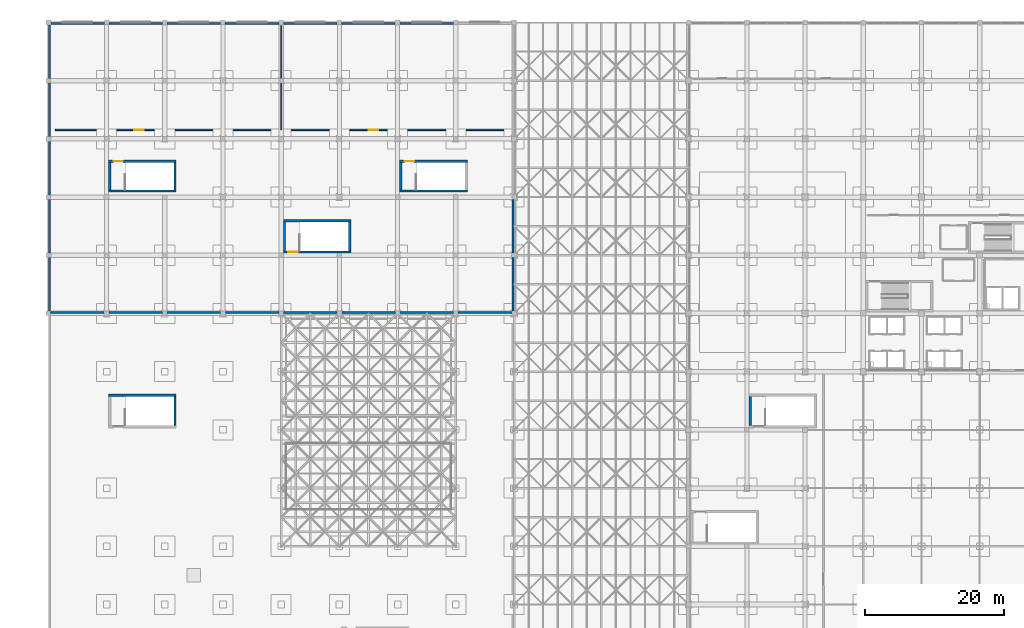
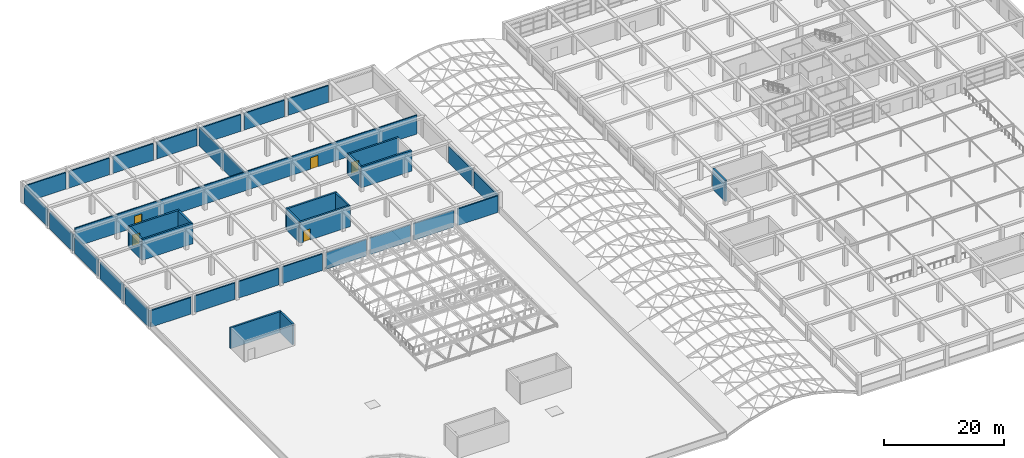
# One storey, part 76 of 85: 38 walls, 5 doors, 5 openings.
"""IFC4 building model written with IfcOpenShell, lengths in metres."""

import ifcopenshell
import ifcopenshell.guid

model = None  # the IFC model being written
_history = None  # IfcOwnerHistory: only IFC2X3 demands one
_inside = {}  # id of a spatial element -> (the spatial element, [elements in it])
_under = {}  # id of a project, library or spatial element -> (it, [spatial elements below it])
_declared = {}  # id of a project -> (the project, [libraries it declares])
_typed = {}  # id of a type object -> (the type object, [elements of that type])
_made_of = {}  # id of a material, layer set ... -> (it, [elements and type objects made of it])


def new_model(schema):
    """Start an empty IFC model of exactly this schema.

    Asked for "IFC4X3", IfcOpenShell would pick the latest addendum, in which some entities
    have other attributes; the version numbers below select the first issue.
    IFC2X3 requires an IfcOwnerHistory on every rooted entity: one is made here for all.
    """
    global model, _history
    if schema == "IFC4X3":
        model = ifcopenshell.file(schema_version=(4, 3, 0, 0))
    else:
        model = ifcopenshell.file(schema=schema)
    _inside.clear()
    _under.clear()
    _declared.clear()
    _typed.clear()
    _made_of.clear()
    _history = None
    if model.schema == "IFC2X3":
        org = make("IfcOrganization", Name="unknown")
        user = make(
            "IfcPersonAndOrganization",
            ThePerson=make("IfcPerson", FamilyName="unknown"),
            TheOrganization=org,
        )
        app = make(
            "IfcApplication",
            ApplicationDeveloper=org,
            Version="unknown",
            ApplicationFullName="unknown",
            ApplicationIdentifier="unknown",
        )
        _history = make(
            "IfcOwnerHistory",
            OwningUser=user,
            OwningApplication=app,
            ChangeAction="ADDED",
            CreationDate=0,
        )
    return model


def make(cls, **values):
    """One entity of the class cls with the attributes given. An attribute that is None is left unset."""
    return model.create_entity(
        cls, **{name: value for name, value in values.items() if value is not None}
    )


def rooted(cls, **values):
    """An entity with a GlobalId (a new one), such as an element, a storey or a relation."""
    return make(cls, GlobalId=ifcopenshell.guid.new(), OwnerHistory=_history, **values)


def si_unit(unit_type, name, prefix=None):
    """IfcSIUnit, for example si_unit("LENGTHUNIT", "METRE", prefix="MILLI")."""
    return make("IfcSIUnit", UnitType=unit_type, Prefix=prefix, Name=name)


def assignment(units):
    """IfcUnitAssignment: the units of a project."""
    return None if units is None else make("IfcUnitAssignment", Units=units)


def point(xyz):
    """IfcCartesianPoint."""
    return None if xyz is None else make("IfcCartesianPoint", Coordinates=xyz)


def direction(xyz):
    """IfcDirection."""
    return None if xyz is None else make("IfcDirection", DirectionRatios=xyz)


def frame(location, z_axis=None, x_axis=None):
    """IfcAxis2Placement3D, a coordinate frame: its origin and axes. An axis left out is left unset."""
    return make(
        "IfcAxis2Placement3D",
        Location=point(location),
        Axis=direction(z_axis),
        RefDirection=direction(x_axis),
    )


def frame_2d(location, x_axis=None):
    """IfcAxis2Placement2D, a coordinate frame in the plane: its origin and x axis."""
    return make(
        "IfcAxis2Placement2D", Location=point(location), RefDirection=direction(x_axis)
    )


def origin():
    """The frame at (0, 0, 0) with its axes left unset."""
    return frame((0.0, 0.0, 0.0))


def place(relative_to, where):
    """IfcLocalPlacement: puts the frame where relative to a parent placement (None: the world)."""
    return make(
        "IfcLocalPlacement", PlacementRelTo=relative_to, RelativePlacement=where
    )


def context(
    kind, dimensions, precision=None, world=None, true_north=None, identifier=None
):
    """IfcGeometricRepresentationContext, for example the 3D "Model" context."""
    return make(
        "IfcGeometricRepresentationContext",
        ContextIdentifier=identifier,
        ContextType=kind,
        CoordinateSpaceDimension=dimensions,
        Precision=precision,
        WorldCoordinateSystem=world,
        TrueNorth=true_north,
    )


def subcontext(parent, identifier, kind, view, scale=None):
    """IfcGeometricRepresentationSubContext, for example "Body" below "Model"."""
    return make(
        "IfcGeometricRepresentationSubContext",
        ContextIdentifier=identifier,
        ContextType=kind,
        ParentContext=parent,
        TargetScale=scale,
        TargetView=view,
    )


def project(units=None, contexts=None):
    """IfcProject with its units and contexts."""
    return rooted(
        "IfcProject",
        Name="project",
        RepresentationContexts=contexts,
        UnitsInContext=assignment(units),
    )


def spatial(cls, under=None, at=None, **own):
    """A site, building, storey or space (cls), placed at a placement, below another one or the project."""
    s = rooted(cls, ObjectPlacement=at, **own)
    if under is not None:
        _under.setdefault(under.id(), (under, []))[1].append(s)
    return s


def profile(cls, at=None, kind="AREA", **sizes):
    """A parametric profile (cls). Its sizes go by their IFC names, for example OverallWidth=200.0."""
    return make(cls, ProfileType=kind, Position=at, **sizes)


def rectangle(**sizes):
    """IfcRectangleProfileDef."""
    return profile("IfcRectangleProfileDef", **sizes)


def extrude(swept, where, along, depth):
    """IfcExtrudedAreaSolid: the profile swept, set in the frame where, extruded along a direction by depth."""
    return make(
        "IfcExtrudedAreaSolid",
        SweptArea=swept,
        Position=where,
        ExtrudedDirection=direction(along),
        Depth=depth,
    )


def shape(context_of_items, identifier, shape_type, items):
    """IfcShapeRepresentation: the items that make up one representation, for example the "Body"."""
    return make(
        "IfcShapeRepresentation",
        ContextOfItems=context_of_items,
        RepresentationIdentifier=identifier,
        RepresentationType=shape_type,
        Items=items,
    )


def material(Name=None, Category=None):
    """IfcMaterial."""
    return make("IfcMaterial", Name=Name, Category=Category)


def layer(
    of_material, thickness, ventilated=None, Name=None, Category=None, Priority=None
):
    """IfcMaterialLayer: one layer of a wall or slab, of a material (None: an air gap)."""
    return make(
        "IfcMaterialLayer",
        Material=of_material,
        LayerThickness=thickness,
        IsVentilated=ventilated,
        Name=Name,
        Category=Category,
        Priority=Priority,
    )


def layer_set(layers, Name=None):
    """IfcMaterialLayerSet."""
    return make("IfcMaterialLayerSet", MaterialLayers=layers, LayerSetName=Name)


def made_of(thing, what):
    """Note that an element or type object is made of a material, layer set ...; save() writes the relation."""
    if what is not None:
        _made_of.setdefault(what.id(), (what, []))[1].append(thing)
    return thing


def type_object(cls, material=None, **own):
    """A type object (cls), such as IfcWallType, which elements share."""
    return made_of(rooted(cls, **own), material)


def element(
    cls,
    number,
    at=None,
    inside=None,
    cuts=None,
    type_object=None,
    material=None,
    context=None,
    identifier="Body",
    shape_type=None,
    held_by="IfcProductDefinitionShape",
    body=None,
    shapes=None,
    **own,
):
    """One element of the class cls, such as IfcWall. Its Tag is "e" and its number.

    at: its placement. inside: the storey or other place that contains it. cuts: it is an
    opening in that element (IfcRelVoidsElement). A single representation is given by context,
    identifier, shape_type and body (its items); several are given by shapes. held_by: the class
    of the entity that holds the representations. save() writes the other relations.
    """
    e = rooted(cls, Tag="e%d" % number, ObjectPlacement=at, **own)
    if body is not None:
        shapes = [shape(context, identifier, shape_type, body)]
    if shapes is not None:
        e.Representation = make(held_by, Representations=shapes)
    if inside is not None:
        _inside.setdefault(inside.id(), (inside, []))[1].append(e)
    if cuts is not None:
        rooted(
            "IfcRelVoidsElement", RelatingBuildingElement=cuts, RelatedOpeningElement=e
        )
    if type_object is not None:
        _typed.setdefault(type_object.id(), (type_object, []))[1].append(e)
    return made_of(e, material)


def fill(opening, filler):
    """IfcRelFillsElement: the door or window that sits in an opening."""
    return rooted(
        "IfcRelFillsElement",
        RelatingOpeningElement=opening,
        RelatedBuildingElement=filler,
    )


def aggregate(whole, parts):
    """IfcRelAggregates: a whole, such as a stair, and the parts it consists of."""
    return rooted("IfcRelAggregates", RelatingObject=whole, RelatedObjects=parts)


def save(model, path):
    """Write the relations noted so far, then the file.

    IfcRelAggregates (storeys below a building ...), IfcRelContainedInSpatialStructure (elements
    in a storey), IfcRelDefinesByType, IfcRelAssociatesMaterial and IfcRelDeclares: one each for
    every whole, place, type object, material and project.
    """
    for whole, parts in _under.values():
        aggregate(whole, parts)
    for where, things in _inside.values():
        rooted(
            "IfcRelContainedInSpatialStructure",
            RelatedElements=things,
            RelatingStructure=where,
        )
    for kind, things in _typed.values():
        rooted("IfcRelDefinesByType", RelatedObjects=things, RelatingType=kind)
    for what, things in _made_of.values():
        rooted("IfcRelAssociatesMaterial", RelatedObjects=things, RelatingMaterial=what)
    for by, libraries in _declared.values():
        rooted("IfcRelDeclares", RelatingContext=by, RelatedDefinitions=libraries)
    model.write(path)


model = new_model("IFC4")

# Units and contexts
model_context = context("Model", 3, precision=1e-05, world=origin(), true_north=direction((0.0, 1.0)))
body_context = subcontext(model_context, "Body", "Model", "MODEL_VIEW")
ifc_project = project(units=[si_unit("LENGTHUNIT", "METRE"), si_unit("AREAUNIT", "SQUARE_METRE"), si_unit("VOLUMEUNIT", "CUBIC_METRE"), si_unit("PLANEANGLEUNIT", "RADIAN"), si_unit("MASSUNIT", "GRAM", prefix="KILO")], contexts=[model_context])

# Site, building, storey
site_placement = place(None, origin())
site = spatial("IfcSite", under=ifc_project, at=site_placement, CompositionType="ELEMENT")
building_placement = place(site_placement, origin())
building = spatial("IfcBuilding", under=site, at=building_placement, Name="Almacenes y Pasaje Nevantli", CompositionType="ELEMENT")
storey_placement = place(building_placement, frame((0.0, 0.0, 22.199951171875)))
storey = spatial("IfcBuildingStorey", under=building, at=storey_placement, Name="L05", CompositionType="ELEMENT", Elevation=22.199951171875)

# Wall, openings, doors
ifc_material_1 = material(Name="Fire-Rated Concrete Blockwork", Category="masonry")
ifc_layer_1 = layer(ifc_material_1, 0.199951171875)
ifc_layer_set_1 = layer_set([ifc_layer_1], Name="Fire-Rated Concrete Blockwork")
wall_type_1 = type_object("IfcWallType", Name="WL-COMP-200", PredefinedType="PARTITIONING", material=ifc_layer_set_1)
wall_1_placement = place(storey_placement, frame((1.0, 102.10009765625, 0.0), z_axis=(0.0, 0.0, 1.0), x_axis=(1.0, 0.0, 0.0)))
wall_1 = element("IfcWall", 1, at=wall_1_placement, inside=storey, type_object=wall_type_1, Name="L05 Interior Partition Wall IW-200 #107", PredefinedType="PARTITIONING", context=body_context, shape_type="SweptSolid", body=[
    extrude(rectangle(XDim=65.60009765625, YDim=0.199951171875, at=frame_2d((32.800048828125, 0.0))), origin(), (0.0, 0.0, 1.0), 3.840087890625),
])
opening_1_placement = place(wall_1_placement, frame((11.39990234375, 0.0, 0.0)))
opening_1 = element("IfcOpeningElement", 2, at=opening_1_placement, cuts=wall_1, Name="Opening ID-L05-053", PredefinedType="OPENING", context=body_context, shape_type="SweptSolid", body=[
    extrude(rectangle(XDim=1.39990234375, YDim=2.300048828125, at=frame_2d((0.699951171875, 1.14990234375))), frame((0.0, 0.10986328125, 0.0), z_axis=(0.0, -1.0, 0.0), x_axis=(1.0, 0.0, 0.0)), (0.0, 0.0, 1.0), 0.219970703125),
])
opening_2_placement = place(wall_1_placement, frame((45.199951171875, 0.0, 0.0)))
opening_2 = element("IfcOpeningElement", 3, at=opening_2_placement, cuts=wall_1, Name="Opening ID-L05-054", PredefinedType="OPENING", context=body_context, shape_type="SweptSolid", body=[
    extrude(rectangle(XDim=1.39990234375, YDim=2.300048828125, at=frame_2d((0.699951171875, 1.14990234375))), frame((0.0, 0.10986328125, 0.0), z_axis=(0.0, -1.0, 0.0), x_axis=(1.0, 0.0, 0.0)), (0.0, 0.0, 1.0), 0.219970703125),
])
ifc_material_2 = material(Name="Galvanized Fire-Rated Steel", Category="steel")
door_type_1 = type_object("IfcDoorType", Name="DR-FD90-1400", OperationType="DOUBLE_DOOR_SINGLE_SWING", PredefinedType="DOOR", material=ifc_material_2)
door_1_placement = place(opening_1_placement, origin())
door_1 = element("IfcDoor", 4, at=door_1_placement, inside=storey, type_object=door_type_1, Name="L05 Chiller Hall Fire Door", OperationType="DOUBLE_DOOR_SINGLE_SWING", OverallHeight=2.300048828125, OverallWidth=1.39990234375, PredefinedType="DOOR", context=body_context, shape_type="SweptSolid", body=[
    extrude(rectangle(XDim=1.39990234375, YDim=2.300048828125, at=frame_2d((0.699951171875, 1.14990234375))), frame((0.0, 0.02490234375, 0.0), z_axis=(0.0, -1.0, 0.0), x_axis=(1.0, 0.0, 0.0)), (0.0, 0.0, 1.0), 0.050048828125),
])
fill(opening_1, door_1)
door_2_placement = place(opening_2_placement, origin())
door_2 = element("IfcDoor", 5, at=door_2_placement, inside=storey, type_object=door_type_1, Name="L05 AHU Plant Hall Fire Door", OperationType="DOUBLE_DOOR_SINGLE_SWING", OverallHeight=2.300048828125, OverallWidth=1.39990234375, PredefinedType="DOOR", context=body_context, shape_type="SweptSolid", body=[
    extrude(rectangle(XDim=1.39990234375, YDim=2.300048828125, at=frame_2d((0.699951171875, 1.14990234375))), frame((0.0, 0.02490234375, 0.0), z_axis=(0.0, -1.0, 0.0), x_axis=(1.0, 0.0, 0.0)), (0.0, 0.0, 1.0), 0.050048828125),
])
fill(opening_2, door_2)

# Walls
wall_2_placement = place(storey_placement, frame((33.60009765625, 102.10009765625, 0.0), z_axis=(0.0, 0.0, 1.0), x_axis=(0.0, 1.0, 0.0)))
element("IfcWall", 6, at=wall_2_placement, inside=storey, type_object=wall_type_1, Name="L05 Interior Partition Wall IW-200 #108", PredefinedType="PARTITIONING", context=body_context, shape_type="SweptSolid", body=[
    extrude(rectangle(XDim=15.0, YDim=0.199951171875, at=frame_2d((7.5, 0.0))), origin(), (0.0, 0.0, 1.0), 3.840087890625),
])
ifc_material_3 = material(Name="Concrete C45/55", Category="concrete")
ifc_layer_2 = layer(ifc_material_3, 0.35009765625)
ifc_layer_set_2 = layer_set([ifc_layer_2], Name="Concrete C45/55")
wall_type_2 = type_object("IfcWallType", Name="WL-CORE-350", PredefinedType="SHEAR", material=ifc_layer_set_2)
wall_3_placement = place(storey_placement, frame((8.699951171875, 93.27490234375, 0.0), z_axis=(0.0, 0.0, 1.0), x_axis=(1.0, 0.0, 0.0)))
element("IfcWall", 7, at=wall_3_placement, inside=storey, type_object=wall_type_2, Name="L05 Exit Stair ST-03 South Core Shear Wall", PredefinedType="SHEAR", context=body_context, shape_type="SweptSolid", body=[
    extrude(rectangle(XDim=9.75, YDim=0.35009765625, at=frame_2d((4.875, 0.0))), origin(), (0.0, 0.0, 1.0), 4.219970703125),
])

# Wall, opening, door
wall_4_placement = place(storey_placement, frame((8.699951171875, 97.574951171875, 0.0), z_axis=(0.0, 0.0, 1.0), x_axis=(1.0, 0.0, 0.0)))
wall_4 = element("IfcWall", 8, at=wall_4_placement, inside=storey, type_object=wall_type_2, Name="L05 Exit Stair ST-03 North Core Shear Wall", PredefinedType="SHEAR", context=body_context, shape_type="SweptSolid", body=[
    extrude(rectangle(XDim=9.75, YDim=0.35009765625, at=frame_2d((4.875, 0.0))), origin(), (0.0, 0.0, 1.0), 4.219970703125),
])
opening_3_placement = place(wall_4_placement, frame((0.719970703125, 0.0, 0.0)))
opening_3 = element("IfcOpeningElement", 9, at=opening_3_placement, cuts=wall_4, Name="Opening SD-03-L05", PredefinedType="OPENING", context=body_context, shape_type="SweptSolid", body=[
    extrude(rectangle(XDim=1.35009765625, YDim=2.25, at=frame_2d((0.675048828125, 1.125))), frame((0.0, 0.18505859375, 0.0), z_axis=(0.0, -1.0, 0.0), x_axis=(1.0, 0.0, 0.0)), (0.0, 0.0, 1.0), 0.3701171875),
])
ifc_material_4 = material(Name="Galvanized Fire-Rated Steel", Category="steel")
door_type_2 = type_object("IfcDoorType", Name="DR-STAIR-1350", OperationType="SINGLE_SWING_LEFT", PredefinedType="DOOR", material=ifc_material_4)
door_3_placement = place(opening_3_placement, origin())
door_3 = element("IfcDoor", 10, at=door_3_placement, inside=storey, type_object=door_type_2, Name="L05 Smokeproof Exit Stair ST-03 Fire Door", OperationType="SINGLE_SWING_LEFT", OverallHeight=2.25, OverallWidth=1.35009765625, PredefinedType="DOOR", context=body_context, shape_type="SweptSolid", body=[
    extrude(rectangle(XDim=1.35009765625, YDim=2.25, at=frame_2d((0.675048828125, 1.125))), frame((0.0, 0.02490234375, 0.0), z_axis=(0.0, -1.0, 0.0), x_axis=(1.0, 0.0, 0.0)), (0.0, 0.0, 1.0), 0.050048828125),
])
fill(opening_3, door_3)

# Walls
for number, where, z_axis, x_axis, name in (
    (11, (8.875, 93.449951171875, 0.0), (0.0, 0.0, 1.0), (0.0, 1.0, 0.0), "L05 Exit Stair ST-03 West Core Shear Wall"),
    (12, (18.27490234375, 93.449951171875, 0.0), (0.0, 0.0, 1.0), (0.0, 1.0, 0.0), "L05 Exit Stair ST-03 East Core Shear Wall"),
):
    element("IfcWall", number, at=place(storey_placement, frame(where, z_axis=z_axis, x_axis=x_axis)), inside=storey, type_object=wall_type_2, Name=name, PredefinedType="SHEAR", context=body_context, shape_type="SweptSolid", body=[
        extrude(rectangle(XDim=3.949951171875, YDim=0.35009765625, at=frame_2d((1.97509765625, 0.0))), origin(), (0.0, 0.0, 1.0), 4.219970703125),
    ])
wall_5_placement = place(storey_placement, frame((50.699951171875, 93.27490234375, 0.0), z_axis=(0.0, 0.0, 1.0), x_axis=(1.0, 0.0, 0.0)))
element("IfcWall", 13, at=wall_5_placement, inside=storey, type_object=wall_type_2, Name="L05 Exit Stair ST-05 South Core Shear Wall", PredefinedType="SHEAR", context=body_context, shape_type="SweptSolid", body=[
    extrude(rectangle(XDim=9.75, YDim=0.35009765625, at=frame_2d((4.875, 0.0))), origin(), (0.0, 0.0, 1.0), 4.219970703125),
])

# Wall, opening, door
wall_6_placement = place(storey_placement, frame((50.699951171875, 97.574951171875, 0.0), z_axis=(0.0, 0.0, 1.0), x_axis=(1.0, 0.0, 0.0)))
wall_6 = element("IfcWall", 14, at=wall_6_placement, inside=storey, type_object=wall_type_2, Name="L05 Exit Stair ST-05 North Core Shear Wall", PredefinedType="SHEAR", context=body_context, shape_type="SweptSolid", body=[
    extrude(rectangle(XDim=9.75, YDim=0.35009765625, at=frame_2d((4.875, 0.0))), origin(), (0.0, 0.0, 1.0), 4.219970703125),
])
opening_4_placement = place(wall_6_placement, frame((0.719970703125, 0.0, 0.0)))
opening_4 = element("IfcOpeningElement", 15, at=opening_4_placement, cuts=wall_6, Name="Opening SD-05-L05", PredefinedType="OPENING", context=body_context, shape_type="SweptSolid", body=[
    extrude(rectangle(XDim=1.35009765625, YDim=2.25, at=frame_2d((0.675048828125, 1.125))), frame((0.0, 0.18505859375, 0.0), z_axis=(0.0, -1.0, 0.0), x_axis=(1.0, 0.0, 0.0)), (0.0, 0.0, 1.0), 0.3701171875),
])
door_4_placement = place(opening_4_placement, origin())
door_4 = element("IfcDoor", 16, at=door_4_placement, inside=storey, type_object=door_type_2, Name="L05 Smokeproof Exit Stair ST-05 Fire Door", OperationType="SINGLE_SWING_LEFT", OverallHeight=2.25, OverallWidth=1.35009765625, PredefinedType="DOOR", context=body_context, shape_type="SweptSolid", body=[
    extrude(rectangle(XDim=1.35009765625, YDim=2.25, at=frame_2d((0.675048828125, 1.125))), frame((0.0, 0.02490234375, 0.0), z_axis=(0.0, -1.0, 0.0), x_axis=(1.0, 0.0, 0.0)), (0.0, 0.0, 1.0), 0.050048828125),
])
fill(opening_4, door_4)

# Walls
wall_7_placement = place(storey_placement, frame((50.875, 93.449951171875, 0.0), z_axis=(0.0, 0.0, 1.0), x_axis=(0.0, 1.0, 0.0)))
element("IfcWall", 17, at=wall_7_placement, inside=storey, type_object=wall_type_2, Name="L05 Exit Stair ST-05 West Core Shear Wall", PredefinedType="SHEAR", context=body_context, shape_type="SweptSolid", body=[
    extrude(rectangle(XDim=3.949951171875, YDim=0.35009765625, at=frame_2d((1.97509765625, 0.0))), origin(), (0.0, 0.0, 1.0), 4.219970703125),
])
wall_8_placement = place(storey_placement, frame((8.699951171875, 63.77490234375, 0.0), z_axis=(0.0, 0.0, 1.0), x_axis=(1.0, 0.0, 0.0)))
element("IfcWall", 18, at=wall_8_placement, inside=storey, type_object=wall_type_2, Name="L05 Exit Stair ST-12 North Core Shear Wall", PredefinedType="SHEAR", context=body_context, shape_type="SweptSolid", body=[
    extrude(rectangle(XDim=9.75, YDim=0.35009765625, at=frame_2d((4.875, 0.0))), origin(), (0.0, 0.0, 1.0), 4.219970703125),
])
for number, where, z_axis, x_axis, name in (
    (19, (18.27490234375, 59.449951171875, 0.0), (0.0, 0.0, 1.0), (0.0, 1.0, 0.0), "L05 Exit Stair ST-12 East Core Shear Wall"),
    (20, (101.27490234375, 59.449951171875, 0.0), (0.0, 0.0, 1.0), (0.0, 1.0, 0.0), "L05 Exit Stair ST-13 West Core Shear Wall"),
):
    element("IfcWall", number, at=place(storey_placement, frame(where, z_axis=z_axis, x_axis=x_axis)), inside=storey, type_object=wall_type_2, Name=name, PredefinedType="SHEAR", context=body_context, shape_type="SweptSolid", body=[
        extrude(rectangle(XDim=4.150146484375, YDim=0.35009765625, at=frame_2d((2.0751953125, 0.0))), origin(), (0.0, 0.0, 1.0), 4.219970703125),
    ])

# Wall, opening, door
wall_9_placement = place(storey_placement, frame((33.89990234375, 84.47509765625, 0.0), z_axis=(0.0, 0.0, 1.0), x_axis=(1.0, 0.0, 0.0)))
wall_9 = element("IfcWall", 21, at=wall_9_placement, inside=storey, type_object=wall_type_2, Name="L05 Exit Stair ST-15 South Core Shear Wall", PredefinedType="SHEAR", context=body_context, shape_type="SweptSolid", body=[
    extrude(rectangle(XDim=9.75, YDim=0.35009765625, at=frame_2d((4.875, 0.0))), origin(), (0.0, 0.0, 1.0), 4.219970703125),
])
opening_5_placement = place(wall_9_placement, frame((0.719970703125, 0.0, 0.0)))
opening_5 = element("IfcOpeningElement", 22, at=opening_5_placement, cuts=wall_9, Name="Opening SD-15-L05", PredefinedType="OPENING", context=body_context, shape_type="SweptSolid", body=[
    extrude(rectangle(XDim=1.35009765625, YDim=2.25, at=frame_2d((0.675048828125, 1.125))), frame((0.0, 0.18505859375, 0.0), z_axis=(0.0, -1.0, 0.0), x_axis=(1.0, 0.0, 0.0)), (0.0, 0.0, 1.0), 0.3701171875),
])
door_5_placement = place(opening_5_placement, origin())
door_5 = element("IfcDoor", 23, at=door_5_placement, inside=storey, type_object=door_type_2, Name="L05 Smokeproof Exit Stair ST-15 Fire Door", OperationType="SINGLE_SWING_LEFT", OverallHeight=2.25, OverallWidth=1.35009765625, PredefinedType="DOOR", context=body_context, shape_type="SweptSolid", body=[
    extrude(rectangle(XDim=1.35009765625, YDim=2.25, at=frame_2d((0.675048828125, 1.125))), frame((0.0, 0.02490234375, 0.0), z_axis=(0.0, -1.0, 0.0), x_axis=(1.0, 0.0, 0.0)), (0.0, 0.0, 1.0), 0.050048828125),
])
fill(opening_5, door_5)

# Walls
wall_10_placement = place(storey_placement, frame((33.89990234375, 88.97509765625, 0.0), z_axis=(0.0, 0.0, 1.0), x_axis=(1.0, 0.0, 0.0)))
element("IfcWall", 24, at=wall_10_placement, inside=storey, type_object=wall_type_2, Name="L05 Exit Stair ST-15 North Core Shear Wall", PredefinedType="SHEAR", context=body_context, shape_type="SweptSolid", body=[
    extrude(rectangle(XDim=9.75, YDim=0.35009765625, at=frame_2d((4.875, 0.0))), origin(), (0.0, 0.0, 1.0), 4.219970703125),
])
for number, where, z_axis, x_axis, name in (
    (25, (34.074951171875, 84.64990234375, 0.0), (0.0, 0.0, 1.0), (0.0, 1.0, 0.0), "L05 Exit Stair ST-15 West Core Shear Wall"),
    (26, (43.47509765625, 84.64990234375, 0.0), (0.0, 0.0, 1.0), (0.0, 1.0, 0.0), "L05 Exit Stair ST-15 East Core Shear Wall"),
):
    element("IfcWall", number, at=place(storey_placement, frame(where, z_axis=z_axis, x_axis=x_axis)), inside=storey, type_object=wall_type_2, Name=name, PredefinedType="SHEAR", context=body_context, shape_type="SweptSolid", body=[
        extrude(rectangle(XDim=4.150146484375, YDim=0.35009765625, at=frame_2d((2.0751953125, 0.0))), origin(), (0.0, 0.0, 1.0), 4.219970703125),
    ])
ifc_material_5 = material(Name="Cream Architectural Precast Concrete C35/45 Wall", Category="concrete")
ifc_layer_3 = layer(ifc_material_5, 0.260009765625)
ifc_layer_set_3 = layer_set([ifc_layer_3], Name="Cream Architectural Precast Concrete C35/45 Wall")
wall_type_3 = type_object("IfcWallType", Name="WL-EXT-PRECAST-260", PredefinedType="SOLIDWALL", material=ifc_layer_set_3)
for number, where, z_axis, x_axis, name in (
    (27, (0.35400390625, 117.449951171875, 0.0), (0.0, 0.0, 1.0), (1.0, 0.0, 0.0), "L05 NW Plant North Enclosure Wall Bay 1"),
    (28, (0.327880859375, 75.75, 0.0), (0.0, 0.0, 1.0), (1.0, 0.0, 0.0), "L05 NW Plant South Enclosure Wall Bay 1"),
    (29, (8.72802734375, 117.449951171875, 0.0), (0.0, 0.0, 1.0), (1.0, 0.0, 0.0), "L05 NW Plant North Enclosure Wall Bay 2"),
    (30, (8.75390625, 75.75, 0.0), (0.0, 0.0, 1.0), (1.0, 0.0, 0.0), "L05 NW Plant South Enclosure Wall Bay 2"),
    (31, (17.154052734375, 117.449951171875, 0.0), (0.0, 0.0, 1.0), (1.0, 0.0, 0.0), "L05 NW Plant North Enclosure Wall Bay 3"),
    (32, (17.1279296875, 75.75, 0.0), (0.0, 0.0, 1.0), (1.0, 0.0, 0.0), "L05 NW Plant South Enclosure Wall Bay 3"),
):
    element("IfcWall", number, at=place(storey_placement, frame(where, z_axis=z_axis, x_axis=x_axis)), inside=storey, type_object=wall_type_3, Name=name, PredefinedType="SOLIDWALL", context=body_context, shape_type="SweptSolid", body=[
        extrude(rectangle(XDim=7.718017578125, YDim=0.260009765625, at=frame_2d((3.85888671875, 0.0))), origin(), (0.0, 0.0, 1.0), 3.3701171875),
    ])
wall_11_placement = place(storey_placement, frame((25.528076171875, 117.449951171875, 0.0), z_axis=(0.0, 0.0, 1.0), x_axis=(1.0, 0.0, 0.0)))
element("IfcWall", 33, at=wall_11_placement, inside=storey, type_object=wall_type_3, Name="L05 NW Plant North Enclosure Wall Bay 4", PredefinedType="SOLIDWALL", context=body_context, shape_type="SweptSolid", body=[
    extrude(rectangle(XDim=7.719970703125, YDim=0.260009765625, at=frame_2d((3.85986328125, 0.0))), origin(), (0.0, 0.0, 1.0), 3.3701171875),
])
for number, where, z_axis, x_axis, name in (
    (34, (25.553955078125, 75.75, 0.0), (0.0, 0.0, 1.0), (1.0, 0.0, 0.0), "L05 NW Plant South Enclosure Wall Bay 4"),
    (35, (33.9541015625, 117.449951171875, 0.0), (0.0, 0.0, 1.0), (1.0, 0.0, 0.0), "L05 NW Plant North Enclosure Wall Bay 5"),
):
    element("IfcWall", number, at=place(storey_placement, frame(where, z_axis=z_axis, x_axis=x_axis)), inside=storey, type_object=wall_type_3, Name=name, PredefinedType="SOLIDWALL", context=body_context, shape_type="SweptSolid", body=[
        extrude(rectangle(XDim=7.718017578125, YDim=0.260009765625, at=frame_2d((3.85888671875, 0.0))), origin(), (0.0, 0.0, 1.0), 3.3701171875),
    ])
wall_12_placement = place(storey_placement, frame((33.927978515625, 75.75, 0.0), z_axis=(0.0, 0.0, 1.0), x_axis=(1.0, 0.0, 0.0)))
element("IfcWall", 36, at=wall_12_placement, inside=storey, type_object=wall_type_3, Name="L05 NW Plant South Enclosure Wall Bay 5", PredefinedType="SOLIDWALL", context=body_context, shape_type="SweptSolid", body=[
    extrude(rectangle(XDim=7.719970703125, YDim=0.260009765625, at=frame_2d((3.85986328125, 0.0))), origin(), (0.0, 0.0, 1.0), 3.3701171875),
])
wall_13_placement = place(storey_placement, frame((42.327880859375, 117.449951171875, 0.0), z_axis=(0.0, 0.0, 1.0), x_axis=(1.0, 0.0, 0.0)))
element("IfcWall", 37, at=wall_13_placement, inside=storey, type_object=wall_type_3, Name="L05 NW Plant North Enclosure Wall Bay 6", PredefinedType="SOLIDWALL", context=body_context, shape_type="SweptSolid", body=[
    extrude(rectangle(XDim=7.718017578125, YDim=0.260009765625, at=frame_2d((3.85888671875, 0.0))), origin(), (0.0, 0.0, 1.0), 3.3701171875),
])
for number, where, z_axis, x_axis, name in (
    (38, (42.35205078125, 75.75, 0.0), (0.0, 0.0, 1.0), (1.0, 0.0, 0.0), "L05 NW Plant South Enclosure Wall Bay 6"),
    (39, (50.751953125, 117.449951171875, 0.0), (0.0, 0.0, 1.0), (1.0, 0.0, 0.0), "L05 NW Plant North Enclosure Wall Bay 7"),
):
    element("IfcWall", number, at=place(storey_placement, frame(where, z_axis=z_axis, x_axis=x_axis)), inside=storey, type_object=wall_type_3, Name=name, PredefinedType="SOLIDWALL", context=body_context, shape_type="SweptSolid", body=[
        extrude(rectangle(XDim=7.719970703125, YDim=0.260009765625, at=frame_2d((3.85986328125, 0.0))), origin(), (0.0, 0.0, 1.0), 3.3701171875),
    ])
wall_14_placement = place(storey_placement, frame((50.72802734375, 75.75, 0.0), z_axis=(0.0, 0.0, 1.0), x_axis=(1.0, 0.0, 0.0)))
element("IfcWall", 40, at=wall_14_placement, inside=storey, type_object=wall_type_3, Name="L05 NW Plant South Enclosure Wall Bay 7", PredefinedType="SOLIDWALL", context=body_context, shape_type="SweptSolid", body=[
    extrude(rectangle(XDim=7.718017578125, YDim=0.260009765625, at=frame_2d((3.85888671875, 0.0))), origin(), (0.0, 0.0, 1.0), 3.3701171875),
])
for number, where, z_axis, x_axis, name in (
    (41, (59.152099609375, 75.75, 0.0), (0.0, 0.0, 1.0), (1.0, 0.0, 0.0), "L05 NW Plant South Enclosure Wall Bay 8"),
    (42, (0.14990234375, 75.927978515625, 0.0), (0.0, 0.0, 1.0), (0.0, 1.0, 0.0), "L05 NW Plant West Wall Bay 10"),
    (43, (67.050048828125, 75.927978515625, 0.0), (0.0, 0.0, 1.0), (0.0, 1.0, 0.0), "L05 NW Plant East Wall Bay 10"),
    (44, (0.14990234375, 84.35205078125, 0.0), (0.0, 0.0, 1.0), (0.0, 1.0, 0.0), "L05 NW Plant West Wall Bay 11"),
    (45, (67.050048828125, 84.35205078125, 0.0), (0.0, 0.0, 1.0), (0.0, 1.0, 0.0), "L05 NW Plant East Wall Bay 11"),
    (46, (0.14990234375, 92.72802734375, 0.0), (0.0, 0.0, 1.0), (0.0, 1.0, 0.0), "L05 NW Plant West Wall Bay 12"),
    (47, (0.14990234375, 101.152099609375, 0.0), (0.0, 0.0, 1.0), (0.0, 1.0, 0.0), "L05 NW Plant West Wall Bay 13"),
):
    element("IfcWall", number, at=place(storey_placement, frame(where, z_axis=z_axis, x_axis=x_axis)), inside=storey, type_object=wall_type_3, Name=name, PredefinedType="SOLIDWALL", context=body_context, shape_type="SweptSolid", body=[
        extrude(rectangle(XDim=7.719970703125, YDim=0.260009765625, at=frame_2d((3.85986328125, 0.0))), origin(), (0.0, 0.0, 1.0), 3.3701171875),
    ])
wall_15_placement = place(storey_placement, frame((0.14990234375, 109.528076171875, 0.0), z_axis=(0.0, 0.0, 1.0), x_axis=(0.0, 1.0, 0.0)))
element("IfcWall", 48, at=wall_15_placement, inside=storey, type_object=wall_type_3, Name="L05 NW Plant West Wall Bay 14", PredefinedType="SOLIDWALL", context=body_context, shape_type="SweptSolid", body=[
    extrude(rectangle(XDim=7.718017578125, YDim=0.260009765625, at=frame_2d((3.85888671875, 0.0))), origin(), (0.0, 0.0, 1.0), 3.3701171875),
])

save(model, "model.ifc")
